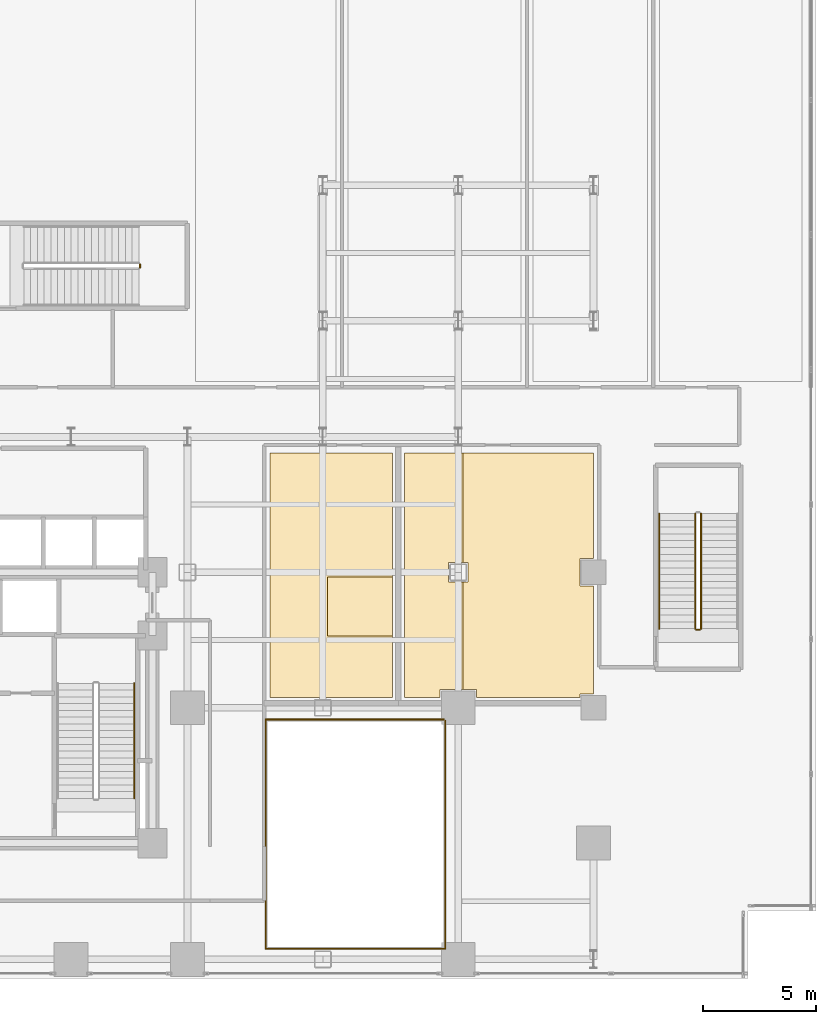
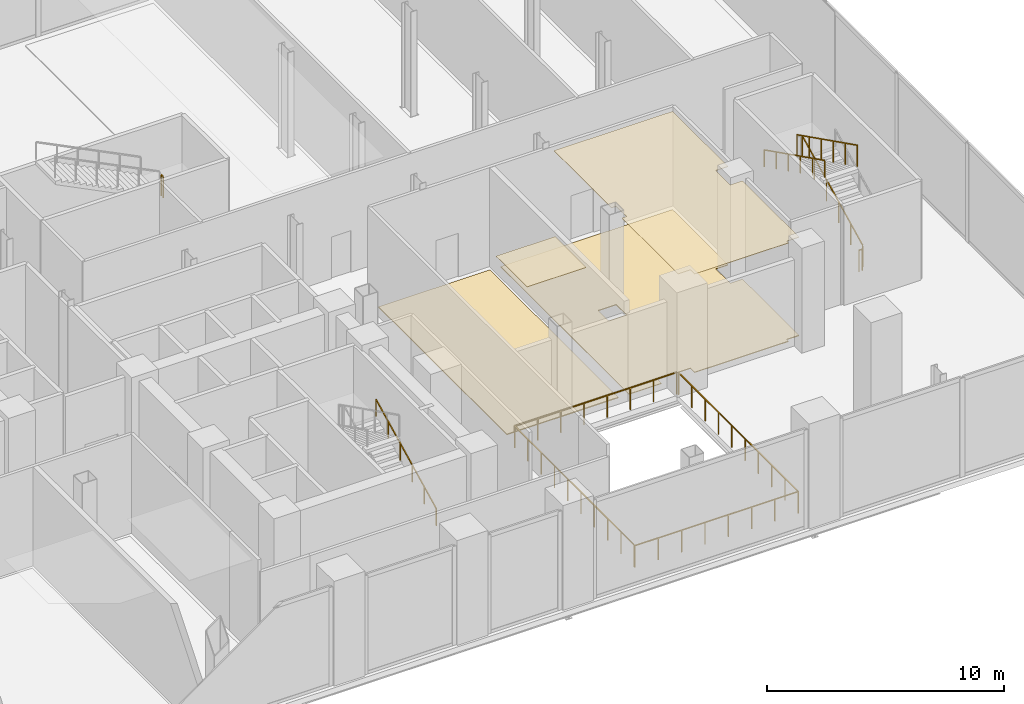
# One storey, part 26 of 28: 8 railings, 4 coverings.
"""IFC4 building model written with IfcOpenShell, lengths in metres."""

from ifc_helpers import new_model, si_unit, direction, frame, origin, origin_2d, place, context, subcontext, project, spatial, polyline, rectangle, outline, extrude, material, layer, layer_set, type_object, element, save


model = new_model("IFC4")

# Units and contexts
model_context = context("Model", 3, precision=1e-05, world=origin(), true_north=direction((0.0, 1.0)))
body_context = subcontext(model_context, "Body", "Model", "MODEL_VIEW")
ifc_project = project(units=[si_unit("LENGTHUNIT", "METRE"), si_unit("AREAUNIT", "SQUARE_METRE"), si_unit("VOLUMEUNIT", "CUBIC_METRE"), si_unit("PLANEANGLEUNIT", "RADIAN"), si_unit("MASSUNIT", "GRAM", prefix="KILO"), si_unit("THERMODYNAMICTEMPERATUREUNIT", "KELVIN"), si_unit("POWERUNIT", "WATT")], contexts=[model_context])

# Site, building, storey
site_placement = place(None, origin())
site = spatial("IfcSite", under=ifc_project, at=site_placement, CompositionType="ELEMENT")
building_placement = place(site_placement, origin())
building = spatial("IfcBuilding", under=site, at=building_placement, Name="Svarakhadi Broadcast Tower", CompositionType="ELEMENT")
storey_placement = place(building_placement, frame((0.0, 0.0, 11.10009765625)))
storey = spatial("IfcBuildingStorey", under=building, at=storey_placement, Name="L02", CompositionType="ELEMENT", Elevation=11.10009765625)

# Coverings
ifc_material_1 = material(Name="Micro-Perforated Mineral Fibre Acoustic Ceiling Tile", Category="mineral_fibre")
ifc_layer_1 = layer(ifc_material_1, 0.02490234375)
ifc_layer_set_1 = layer_set([ifc_layer_1], Name="Micro-Perforated Mineral Fibre Acoustic Ceiling Tile")
covering_type_1 = type_object("IfcCoveringType", Name="Cov_Ceiling_Tile", PredefinedType="CEILING", material=ifc_layer_set_1)
covering_1_placement = place(storey_placement, frame((0.0, 0.0, 5.074951171875)))
element("IfcCovering", 1, at=covering_1_placement, inside=storey, type_object=covering_type_1, Name="L02 Studio A Lighting Rigging Control Gallery Acoustic Ceiling", PredefinedType="CEILING", context=body_context, shape_type="SweptSolid", body=[
    extrude(outline(polyline([(44.239990234375, 15.169921875), (41.360107421875, 15.169921875), (41.360107421875, 17.7900390625), (44.239990234375, 17.7900390625), (44.239990234375, 15.169921875)])), origin(), (0.0, 0.0, 1.0), 0.02490234375),
])
covering_2_placement = place(storey_placement, frame((0.0, 0.0, 5.074951171875)))
element("IfcCovering", 2, at=covering_2_placement, inside=storey, type_object=covering_type_1, Name="L02 Broadcast Dimmer Rack Technical Room Acoustic Ceiling", PredefinedType="CEILING", context=body_context, shape_type="SweptSolid", body=[
    extrude(outline(polyline([(53.139892578125, 23.2900390625), (53.139892578125, 18.610107421875), (52.5400390625, 18.610107421875), (52.5400390625, 17.389892578125), (53.139892578125, 17.389892578125), (53.139892578125, 12.610107421875), (52.5400390625, 12.610107421875), (52.5400390625, 12.4599609375), (47.9599609375, 12.4599609375), (47.9599609375, 12.81005859375), (47.360107421875, 12.81005859375), (47.360107421875, 17.56494140625), (47.5849609375, 17.56494140625), (47.5849609375, 18.43505859375), (47.360107421875, 18.43505859375), (47.360107421875, 23.2900390625), (53.139892578125, 23.2900390625)])), origin(), (0.0, 0.0, 1.0), 0.02490234375),
])
ifc_material_2 = material(Name="Heavy-Duty Anti-Static Broadcast Raised Access Floor", Category="steel")
ifc_layer_2 = layer(ifc_material_2, 0.050048828125)
ifc_layer_set_2 = layer_set([ifc_layer_2], Name="Heavy-Duty Anti-Static Broadcast Raised Access Floor")
covering_type_2 = type_object("IfcCoveringType", Name="Cov_Floor_Access", PredefinedType="FLOORING", material=ifc_layer_set_2)
covering_3_placement = place(storey_placement, origin())
element("IfcCovering", 3, at=covering_3_placement, inside=storey, type_object=covering_type_2, Name="L02 Studio A Lighting Rigging Control Gallery Floor Finish", PredefinedType="FLOORING", context=body_context, shape_type="SweptSolid", body=[
    extrude(outline(polyline([(44.239990234375, 23.2900390625), (44.239990234375, 12.4599609375), (38.81005859375, 12.4599609375), (38.81005859375, 23.2900390625), (44.239990234375, 23.2900390625)])), origin(), (0.0, 0.0, 1.0), 0.0498046875),
])
ifc_material_3 = material(Name="Honed Konkan Basalt Stone Tile Flooring", Category="masonry")
ifc_layer_3 = layer(ifc_material_3, 0.034912109375)
ifc_layer_set_3 = layer_set([ifc_layer_3], Name="Honed Konkan Basalt Stone Tile Flooring")
covering_type_3 = type_object("IfcCoveringType", Name="Cov_Floor_Basalt", PredefinedType="FLOORING", material=ifc_layer_set_3)
covering_4_placement = place(storey_placement, origin())
element("IfcCovering", 4, at=covering_4_placement, inside=storey, type_object=covering_type_3, Name="L02 Broadcast Dimmer Rack Technical Room Floor Finish", PredefinedType="FLOORING", context=body_context, shape_type="SweptSolid", body=[
    extrude(outline(polyline([(53.139892578125, 23.2900390625), (53.139892578125, 18.610107421875), (52.5400390625, 18.610107421875), (52.5400390625, 17.389892578125), (53.139892578125, 17.389892578125), (53.139892578125, 12.610107421875), (52.5400390625, 12.610107421875), (52.5400390625, 12.4599609375), (47.9599609375, 12.4599609375), (47.9599609375, 12.81005859375), (46.340087890625, 12.81005859375), (46.340087890625, 12.4599609375), (44.760009765625, 12.4599609375), (44.760009765625, 23.2900390625), (53.139892578125, 23.2900390625)]), holes=[polyline([(46.715087890625, 17.56494140625), (47.5849609375, 17.56494140625), (47.5849609375, 18.43505859375), (46.715087890625, 18.43505859375), (46.715087890625, 17.56494140625)])]), origin(), (0.0, 0.0, 1.0), 0.034912109375),
])

# Railings
ifc_material_4 = material(Name="Anodised Bronze Aluminium AA 6063-T6", Category="aluminium")
railing_type_1 = type_object("IfcRailingType", Name="Guard_Stair_GR01", PredefinedType="GUARDRAIL", material=ifc_material_4)
railing_1_placement = place(storey_placement, frame((33.050048828125, 31.5, 2.699951171875)))
element("IfcRailing", 5, at=railing_1_placement, inside=storey, type_object=railing_type_1, Name="L02 ST-03 stair guard 2", PredefinedType="GUARDRAIL", context=body_context, shape_type="SweptSolid", body=[
    extrude(rectangle(XDim=0.048095703125, YDim=0.048095703125, at=origin_2d()), frame((0.0, 0.0, 1.09619140625), z_axis=(0.0, 1.0, 0.0), x_axis=(-1.0, 0.0, 0.0)), (0.0, 0.0, 1.0), 0.159912109375),
    extrude(rectangle(XDim=0.0419921875, YDim=0.0419921875, at=origin_2d()), origin(), (0.0, 0.0, 1.0), 1.072021484375),
    extrude(rectangle(XDim=0.0419921875, YDim=0.0419921875, at=origin_2d()), frame((0.0, 0.159912109375, 0.0)), (0.0, 0.0, 1.0), 1.072021484375),
])
railing_2_placement = place(storey_placement, frame((57.909912109375, 15.5, 0.14990234375)))
element("IfcRailing", 6, at=railing_2_placement, inside=storey, type_object=railing_type_1, Name="L02 ST-04 stair guard 1", PredefinedType="GUARDRAIL", context=body_context, shape_type="SweptSolid", body=[
    extrude(rectangle(XDim=0.048095703125, YDim=0.048095703125, at=origin_2d()), frame((0.0, 0.0, 1.09619140625), z_axis=(0.0, 0.894427191, 0.4472135955), x_axis=(-1.0, 0.0, 0.0)), (0.0, 0.0, 1.0), 5.7021484375),
    extrude(rectangle(XDim=0.0419921875, YDim=0.0419921875, at=origin_2d()), origin(), (0.0, 0.0, 1.0), 1.072021484375),
    extrude(rectangle(XDim=0.0419921875, YDim=0.0419921875, at=origin_2d()), frame((0.0, 1.02001953125, 0.510009765625)), (0.0, 0.0, 1.0), 1.072021484375),
    extrude(rectangle(XDim=0.0419921875, YDim=0.0419921875, at=origin_2d()), frame((0.0, 2.0400390625, 1.02001953125)), (0.0, 0.0, 1.0), 1.072021484375),
    extrude(rectangle(XDim=0.0419921875, YDim=0.0419921875, at=origin_2d()), frame((0.0, 3.06005859375, 1.530029296875)), (0.0, 0.0, 1.0), 1.072021484375),
    extrude(rectangle(XDim=0.0419921875, YDim=0.0419921875, at=origin_2d()), frame((0.0, 4.080078125, 2.0400390625)), (0.0, 0.0, 1.0), 1.072021484375),
    extrude(rectangle(XDim=0.0419921875, YDim=0.0419921875, at=origin_2d()), frame((0.0, 5.10009765625, 2.550048828125)), (0.0, 0.0, 1.0), 1.072021484375),
])
railing_3_placement = place(storey_placement, frame((57.64990234375, 20.60009765625, 2.849853515625)))
element("IfcRailing", 7, at=railing_3_placement, inside=storey, type_object=railing_type_1, Name="L02 ST-04 stair guard 3", PredefinedType="GUARDRAIL", context=body_context, shape_type="SweptSolid", body=[
    extrude(rectangle(XDim=0.048095703125, YDim=0.048095703125, at=origin_2d()), frame((0.0, 0.0, 1.09619140625), z_axis=(0.0, -0.894427191, 0.4472135955), x_axis=(1.0, 0.0, 0.0)), (0.0, 0.0, 1.0), 5.7021484375),
    extrude(rectangle(XDim=0.0419921875, YDim=0.0419921875, at=origin_2d()), origin(), (0.0, 0.0, 1.0), 1.072021484375),
    extrude(rectangle(XDim=0.0419921875, YDim=0.0419921875, at=origin_2d()), frame((0.0, -1.02001953125, 0.510009765625)), (0.0, 0.0, 1.0), 1.072021484375),
    extrude(rectangle(XDim=0.0419921875, YDim=0.0419921875, at=origin_2d()), frame((0.0, -2.0400390625, 1.02001953125)), (0.0, 0.0, 1.0), 1.072021484375),
    extrude(rectangle(XDim=0.0419921875, YDim=0.0419921875, at=origin_2d()), frame((0.0, -3.06005859375, 1.530029296875)), (0.0, 0.0, 1.0), 1.072021484375),
    extrude(rectangle(XDim=0.0419921875, YDim=0.0419921875, at=origin_2d()), frame((0.0, -4.080078125, 2.0400390625)), (0.0, 0.0, 1.0), 1.072021484375),
    extrude(rectangle(XDim=0.0419921875, YDim=0.0419921875, at=origin_2d()), frame((0.0, -5.10009765625, 2.550048828125)), (0.0, 0.0, 1.0), 1.072021484375),
])
railing_4_placement = place(storey_placement, frame((57.860107421875, 15.449951171875, 0.0)))
element("IfcRailing", 8, at=railing_4_placement, inside=storey, type_object=railing_type_1, Name="L02 ST-04 stair guard 4", PredefinedType="GUARDRAIL", context=body_context, shape_type="SweptSolid", body=[
    extrude(rectangle(XDim=0.048095703125, YDim=0.048095703125, at=origin_2d()), frame((0.0, 0.0, 1.09619140625), z_axis=(-1.0, 0.0, 0.0), x_axis=(0.0, -1.0, 0.0)), (0.0, 0.0, 1.0), 0.16015625),
    extrude(rectangle(XDim=0.0419921875, YDim=0.0419921875, at=origin_2d()), origin(), (0.0, 0.0, 1.0), 1.072021484375),
    extrude(rectangle(XDim=0.0419921875, YDim=0.0419921875, at=origin_2d()), frame((-0.16015625, 0.0, 0.0)), (0.0, 0.0, 1.0), 1.072021484375),
])
railing_type_2 = type_object("IfcRailingType", Name="Guard_Void_GR04", PredefinedType="GUARDRAIL", material=ifc_material_4)
railing_5_placement = place(storey_placement, frame((38.6201171875, 1.320068359375, 0.0)))
element("IfcRailing", 9, at=railing_5_placement, inside=storey, type_object=railing_type_2, Name="L02 Broadcast Studio A Void Guard South-East Run GR-04", PredefinedType="GUARDRAIL", context=body_context, shape_type="SweptSolid", body=[
    extrude(rectangle(XDim=0.048095703125, YDim=0.048095703125, at=origin_2d()), frame((0.0, 0.0, 1.1259765625), z_axis=(1.0, 0.0, 0.0), x_axis=(0.0, 1.0, 0.0)), (0.0, 0.0, 1.0), 7.9599609375),
    extrude(rectangle(XDim=0.048095703125, YDim=0.048095703125, at=origin_2d()), frame((7.9599609375, 0.0, 1.1259765625), z_axis=(0.0, 1.0, 0.0), x_axis=(-1.0, 0.0, 0.0)), (0.0, 0.0, 1.0), 10.099853515625),
    extrude(rectangle(XDim=0.0419921875, YDim=0.0419921875, at=origin_2d()), origin(), (0.0, 0.0, 1.0), 1.101806640625),
    extrude(rectangle(XDim=0.0419921875, YDim=0.0419921875, at=origin_2d()), frame((1.13720703125, 0.0, 0.0)), (0.0, 0.0, 1.0), 1.101806640625),
    extrude(rectangle(XDim=0.0419921875, YDim=0.0419921875, at=origin_2d()), frame((2.274169921875, 0.0, 0.0)), (0.0, 0.0, 1.0), 1.101806640625),
    extrude(rectangle(XDim=0.0419921875, YDim=0.0419921875, at=origin_2d()), frame((3.411376953125, 0.0, 0.0)), (0.0, 0.0, 1.0), 1.101806640625),
    extrude(rectangle(XDim=0.0419921875, YDim=0.0419921875, at=origin_2d()), frame((4.548583984375, 0.0, 0.0)), (0.0, 0.0, 1.0), 1.101806640625),
    extrude(rectangle(XDim=0.0419921875, YDim=0.0419921875, at=origin_2d()), frame((5.685791015625, 0.0, 0.0)), (0.0, 0.0, 1.0), 1.101806640625),
    extrude(rectangle(XDim=0.0419921875, YDim=0.0419921875, at=origin_2d()), frame((6.82275390625, 0.0, 0.0)), (0.0, 0.0, 1.0), 1.101806640625),
    extrude(rectangle(XDim=0.0419921875, YDim=0.0419921875, at=origin_2d()), frame((7.9599609375, 0.0, 0.0)), (0.0, 0.0, 1.0), 1.101806640625),
    extrude(rectangle(XDim=0.0419921875, YDim=0.0419921875, at=origin_2d()), frame((7.9599609375, 1.122314453125, 0.0)), (0.0, 0.0, 1.0), 1.101806640625),
    extrude(rectangle(XDim=0.0419921875, YDim=0.0419921875, at=origin_2d()), frame((7.9599609375, 2.244384765625, 0.0)), (0.0, 0.0, 1.0), 1.101806640625),
    extrude(rectangle(XDim=0.0419921875, YDim=0.0419921875, at=origin_2d()), frame((7.9599609375, 3.36669921875, 0.0)), (0.0, 0.0, 1.0), 1.101806640625),
    extrude(rectangle(XDim=0.0419921875, YDim=0.0419921875, at=origin_2d()), frame((7.9599609375, 4.48876953125, 0.0)), (0.0, 0.0, 1.0), 1.101806640625),
    extrude(rectangle(XDim=0.0419921875, YDim=0.0419921875, at=origin_2d()), frame((7.9599609375, 5.611083984375, 0.0)), (0.0, 0.0, 1.0), 1.101806640625),
    extrude(rectangle(XDim=0.0419921875, YDim=0.0419921875, at=origin_2d()), frame((7.9599609375, 6.733154296875, 0.0)), (0.0, 0.0, 1.0), 1.101806640625),
    extrude(rectangle(XDim=0.0419921875, YDim=0.0419921875, at=origin_2d()), frame((7.9599609375, 7.85546875, 0.0)), (0.0, 0.0, 1.0), 1.101806640625),
    extrude(rectangle(XDim=0.0419921875, YDim=0.0419921875, at=origin_2d()), frame((7.9599609375, 8.9775390625, 0.0)), (0.0, 0.0, 1.0), 1.101806640625),
    extrude(rectangle(XDim=0.0419921875, YDim=0.0419921875, at=origin_2d()), frame((7.9599609375, 10.099853515625, 0.0)), (0.0, 0.0, 1.0), 1.101806640625),
])
railing_6_placement = place(storey_placement, frame((46.52001953125, 11.47998046875, 0.0)))
element("IfcRailing", 10, at=railing_6_placement, inside=storey, type_object=railing_type_2, Name="L02 Broadcast Studio A Void Guard North-West Run GR-04", PredefinedType="GUARDRAIL", context=body_context, shape_type="SweptSolid", body=[
    extrude(rectangle(XDim=0.048095703125, YDim=0.048095703125, at=origin_2d()), frame((0.0, 0.0, 1.1259765625), z_axis=(-1.0, 0.0, 0.0), x_axis=(0.0, -1.0, 0.0)), (0.0, 0.0, 1.0), 7.89990234375),
    extrude(rectangle(XDim=0.048095703125, YDim=0.048095703125, at=origin_2d()), frame((-7.89990234375, 0.0, 1.1259765625), z_axis=(0.0, -1.0, 0.0), x_axis=(1.0, 0.0, 0.0)), (0.0, 0.0, 1.0), 10.10009765625),
    extrude(rectangle(XDim=0.0419921875, YDim=0.0419921875, at=origin_2d()), origin(), (0.0, 0.0, 1.0), 1.101806640625),
    extrude(rectangle(XDim=0.0419921875, YDim=0.0419921875, at=origin_2d()), frame((-1.128662109375, 0.0, 0.0)), (0.0, 0.0, 1.0), 1.101806640625),
    extrude(rectangle(XDim=0.0419921875, YDim=0.0419921875, at=origin_2d()), frame((-2.257080078125, 0.0, 0.0)), (0.0, 0.0, 1.0), 1.101806640625),
    extrude(rectangle(XDim=0.0419921875, YDim=0.0419921875, at=origin_2d()), frame((-3.3857421875, 0.0, 0.0)), (0.0, 0.0, 1.0), 1.101806640625),
    extrude(rectangle(XDim=0.0419921875, YDim=0.0419921875, at=origin_2d()), frame((-4.51416015625, 0.0, 0.0)), (0.0, 0.0, 1.0), 1.101806640625),
    extrude(rectangle(XDim=0.0419921875, YDim=0.0419921875, at=origin_2d()), frame((-5.642822265625, 0.0, 0.0)), (0.0, 0.0, 1.0), 1.101806640625),
    extrude(rectangle(XDim=0.0419921875, YDim=0.0419921875, at=origin_2d()), frame((-6.771240234375, 0.0, 0.0)), (0.0, 0.0, 1.0), 1.101806640625),
    extrude(rectangle(XDim=0.0419921875, YDim=0.0419921875, at=origin_2d()), frame((-7.89990234375, 0.0, 0.0)), (0.0, 0.0, 1.0), 1.101806640625),
    extrude(rectangle(XDim=0.0419921875, YDim=0.0419921875, at=origin_2d()), frame((-7.89990234375, -1.122314453125, 0.0)), (0.0, 0.0, 1.0), 1.101806640625),
    extrude(rectangle(XDim=0.0419921875, YDim=0.0419921875, at=origin_2d()), frame((-7.89990234375, -2.244384765625, 0.0)), (0.0, 0.0, 1.0), 1.101806640625),
    extrude(rectangle(XDim=0.0419921875, YDim=0.0419921875, at=origin_2d()), frame((-7.89990234375, -3.36669921875, 0.0)), (0.0, 0.0, 1.0), 1.101806640625),
    extrude(rectangle(XDim=0.0419921875, YDim=0.0419921875, at=origin_2d()), frame((-7.89990234375, -4.489013671875, 0.0)), (0.0, 0.0, 1.0), 1.101806640625),
    extrude(rectangle(XDim=0.0419921875, YDim=0.0419921875, at=origin_2d()), frame((-7.89990234375, -5.611083984375, 0.0)), (0.0, 0.0, 1.0), 1.101806640625),
    extrude(rectangle(XDim=0.0419921875, YDim=0.0419921875, at=origin_2d()), frame((-7.89990234375, -6.7333984375, 0.0)), (0.0, 0.0, 1.0), 1.101806640625),
    extrude(rectangle(XDim=0.0419921875, YDim=0.0419921875, at=origin_2d()), frame((-7.89990234375, -7.855712890625, 0.0)), (0.0, 0.0, 1.0), 1.101806640625),
    extrude(rectangle(XDim=0.0419921875, YDim=0.0419921875, at=origin_2d()), frame((-7.89990234375, -8.977783203125, 0.0)), (0.0, 0.0, 1.0), 1.101806640625),
    extrude(rectangle(XDim=0.0419921875, YDim=0.0419921875, at=origin_2d()), frame((-7.89990234375, -10.10009765625, 0.0)), (0.0, 0.0, 1.0), 1.101806640625),
])
railing_type_3 = type_object("IfcRailingType", Name="Handrail_Stair_HR01", PredefinedType="HANDRAIL", material=ifc_material_4)
railing_7_placement = place(storey_placement, frame((32.7900390625, 7.97998046875, 0.14990234375)))
element("IfcRailing", 11, at=railing_7_placement, inside=storey, type_object=railing_type_3, Name="L02 ST-02 stair handrail 1", PredefinedType="HANDRAIL", context=body_context, shape_type="SweptSolid", body=[
    extrude(rectangle(XDim=0.048095703125, YDim=0.048095703125, at=origin_2d()), frame((0.0, 0.0, 0.8759765625), z_axis=(0.0, 0.894427191, 0.4472135955), x_axis=(-1.0, 0.0, 0.0)), (0.0, 0.0, 1.0), 5.7021484375),
    extrude(rectangle(XDim=0.0419921875, YDim=0.0419921875, at=origin_2d()), origin(), (0.0, 0.0, 1.0), 0.851806640625),
    extrude(rectangle(XDim=0.0419921875, YDim=0.0419921875, at=origin_2d()), frame((0.0, 1.02001953125, 0.510009765625)), (0.0, 0.0, 1.0), 0.851806640625),
    extrude(rectangle(XDim=0.0419921875, YDim=0.0419921875, at=origin_2d()), frame((0.0, 2.0400390625, 1.02001953125)), (0.0, 0.0, 1.0), 0.851806640625),
    extrude(rectangle(XDim=0.0419921875, YDim=0.0419921875, at=origin_2d()), frame((0.0, 3.06005859375, 1.530029296875)), (0.0, 0.0, 1.0), 0.851806640625),
    extrude(rectangle(XDim=0.0419921875, YDim=0.0419921875, at=origin_2d()), frame((0.0, 4.080078125, 2.0400390625)), (0.0, 0.0, 1.0), 0.851806640625),
    extrude(rectangle(XDim=0.0419921875, YDim=0.0419921875, at=origin_2d()), frame((0.0, 5.10009765625, 2.550048828125)), (0.0, 0.0, 1.0), 0.851806640625),
])
railing_8_placement = place(storey_placement, frame((56.050048828125, 20.60009765625, 2.849853515625)))
element("IfcRailing", 12, at=railing_8_placement, inside=storey, type_object=railing_type_3, Name="L02 ST-04 stair handrail 2", PredefinedType="HANDRAIL", context=body_context, shape_type="SweptSolid", body=[
    extrude(rectangle(XDim=0.048095703125, YDim=0.048095703125, at=origin_2d()), frame((0.0, 0.0, 0.8759765625), z_axis=(0.0, -0.894427191, 0.4472135955), x_axis=(1.0, 0.0, 0.0)), (0.0, 0.0, 1.0), 5.7021484375),
    extrude(rectangle(XDim=0.0419921875, YDim=0.0419921875, at=origin_2d()), origin(), (0.0, 0.0, 1.0), 0.851806640625),
    extrude(rectangle(XDim=0.0419921875, YDim=0.0419921875, at=origin_2d()), frame((0.0, -1.02001953125, 0.510009765625)), (0.0, 0.0, 1.0), 0.851806640625),
    extrude(rectangle(XDim=0.0419921875, YDim=0.0419921875, at=origin_2d()), frame((0.0, -2.0400390625, 1.02001953125)), (0.0, 0.0, 1.0), 0.851806640625),
    extrude(rectangle(XDim=0.0419921875, YDim=0.0419921875, at=origin_2d()), frame((0.0, -3.06005859375, 1.530029296875)), (0.0, 0.0, 1.0), 0.851806640625),
    extrude(rectangle(XDim=0.0419921875, YDim=0.0419921875, at=origin_2d()), frame((0.0, -4.080078125, 2.0400390625)), (0.0, 0.0, 1.0), 0.851806640625),
    extrude(rectangle(XDim=0.0419921875, YDim=0.0419921875, at=origin_2d()), frame((0.0, -5.10009765625, 2.550048828125)), (0.0, 0.0, 1.0), 0.851806640625),
])

save(model, "model.ifc")
